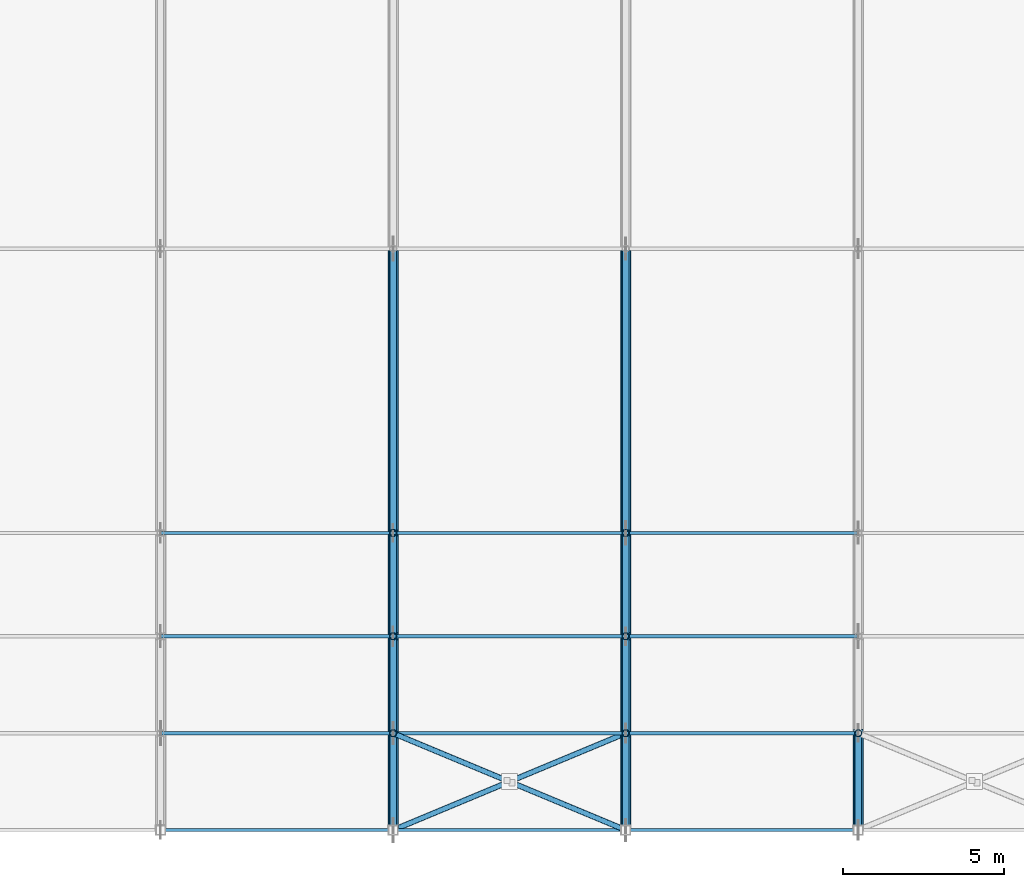
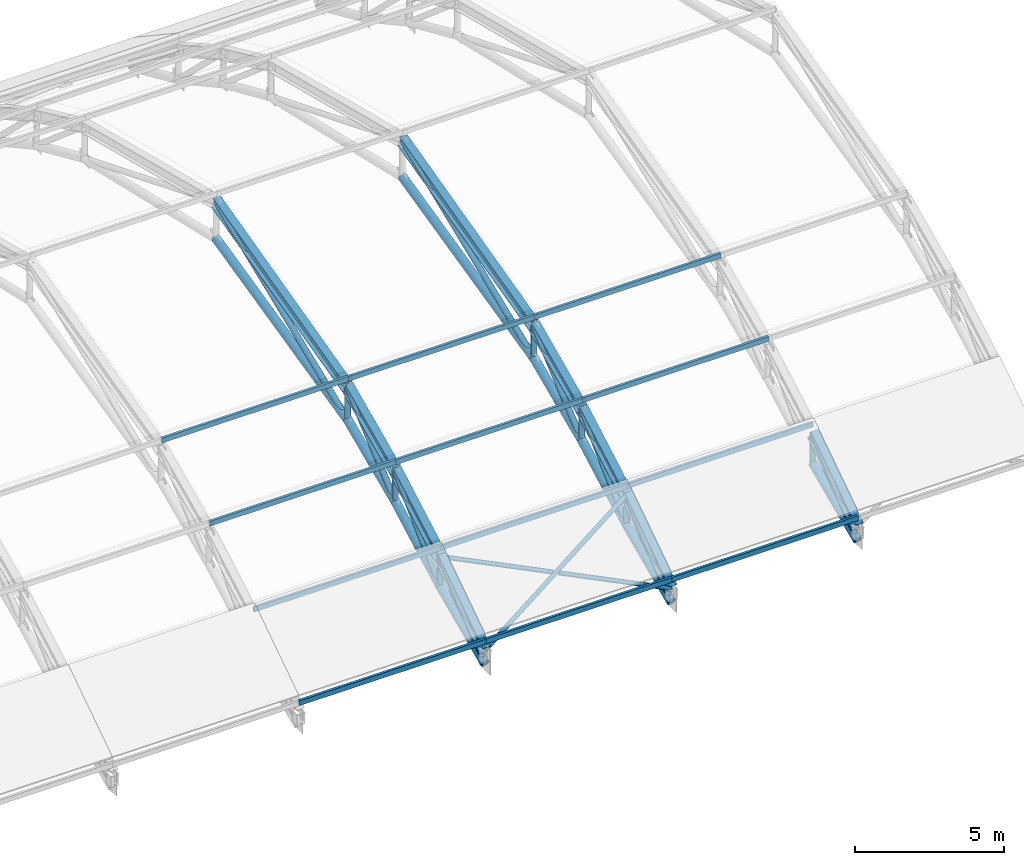
# One storey, part 18 of 63: 40 members, 9 beams.
"""IFC4 building model written with IfcOpenShell, lengths in metres."""

from ifc_helpers import new_model, si_unit, direction, frame, origin, origin_2d, place, context, subcontext, project, spatial, hollow_rectangle, hollow_circle, i_section, extrude, material, material_profile, profile_set, type_object, element, save


model = new_model("IFC4")

# Units and contexts
model_context = context("Model", 3, precision=1e-05, world=origin(), true_north=direction((0.0, 1.0)))
body_context = subcontext(model_context, "Body", "Model", "MODEL_VIEW")
ifc_project = project(units=[si_unit("LENGTHUNIT", "METRE"), si_unit("AREAUNIT", "SQUARE_METRE"), si_unit("VOLUMEUNIT", "CUBIC_METRE"), si_unit("PLANEANGLEUNIT", "RADIAN"), si_unit("MASSUNIT", "GRAM", prefix="KILO")], contexts=[model_context])

# Site, building, storey
site_placement = place(None, origin())
site = spatial("IfcSite", under=ifc_project, at=site_placement, CompositionType="ELEMENT")
building_placement = place(site_placement, origin())
building = spatial("IfcBuilding", under=site, at=building_placement, Name="Solvadek Multi-Sports Hall", CompositionType="ELEMENT")
storey_placement = place(building_placement, frame((0.0, 0.0, 19.199951171875)))
storey = spatial("IfcBuildingStorey", under=building, at=storey_placement, Name="RF", CompositionType="ELEMENT", Elevation=19.199951171875)

# Members
ifc_material_1 = material(Name="Steel E350 (350 MPa)", Category="steel")
ifc_material_profile_1 = material_profile(ifc_material_1, hollow_circle(Radius=0.084228515625, WallThickness=0.008056640625, at=origin_2d()), Name="CHS 168.3x8")
ifc_profile_set_1 = profile_set([ifc_material_profile_1], Name="Steel E350 (350 MPa)")
member_type_1 = type_object("IfcMemberType", Name="STR-BRC-CHS168", PredefinedType="BRACE", material=ifc_profile_set_1)
member_1_placement = place(storey_placement, frame((115.199951171875, 6.0, -3.550048828125), z_axis=(0.894028733366, 0.372514498511, 0.248888674542), x_axis=(-0.384617607118, 0.923075997031, 0.0)))
element("IfcMember", 1, at=member_1_placement, inside=storey, type_object=member_type_1, Name="V1 Roof Plan Brace #5", PredefinedType="BRACE", context=body_context, shape_type="SweptSolid", body=[
    extrude(hollow_circle(Radius=0.084228515625, WallThickness=0.008056640625, at=origin_2d()), origin(), (0.0, 0.0, 1.0), 8.053466796875),
])
member_2_placement = place(storey_placement, frame((115.199951171875, 9.0, -1.545654296875), z_axis=(0.894028850757, -0.372527532788, -0.248868743173), x_axis=(0.384629030944, 0.923071236988, 0.0)))
element("IfcMember", 2, at=member_2_placement, inside=storey, type_object=member_type_1, Name="V1 Roof Plan Half-Brace #6A", PredefinedType="BRACE", context=body_context, shape_type="SweptSolid", body=[
    extrude(hollow_circle(Radius=0.084228515625, WallThickness=0.008056640625, at=origin_2d()), origin(), (0.0, 0.0, 1.0), 3.934814453125),
])
member_3_placement = place(storey_placement, frame((118.88232421875, 7.4658203125, -2.57080078125), z_axis=(0.894016396206, -0.372548198419, -0.248882548944), x_axis=(0.384651776791, 0.923061758828, 0.0)))
element("IfcMember", 3, at=member_3_placement, inside=storey, type_object=member_type_1, Name="V1 Roof Plan Half-Brace #6B", PredefinedType="BRACE", context=body_context, shape_type="SweptSolid", body=[
    extrude(hollow_circle(Radius=0.084228515625, WallThickness=0.008056640625, at=origin_2d()), origin(), (0.0, 0.0, 1.0), 3.9345703125),
])
ifc_material_profile_2 = material_profile(ifc_material_1, hollow_circle(Radius=0.109619140625, WallThickness=0.010009765625, at=origin_2d()), Name="CHS 219.1x10")
ifc_profile_set_2 = profile_set([ifc_material_profile_2], Name="Steel E350 (350 MPa)")
member_type_2 = type_object("IfcMemberType", Name="STR-BRC-CHS219", PredefinedType="BRACE", material=ifc_profile_set_2)
member_4_placement = place(storey_placement, frame((115.199951171875, 6.0, -4.099853515625), z_axis=(0.0, 0.761413137307, 0.648266946818), x_axis=(-1.0, 0.0, 0.0)))
element("IfcMember", 4, at=member_4_placement, inside=storey, type_object=member_type_2, Name="v1 Truss 5 Web Diagonal 1", PredefinedType="BRACE", context=body_context, shape_type="SweptSolid", body=[
    extrude(hollow_circle(Radius=0.109619140625, WallThickness=0.010009765625, at=origin_2d()), origin(), (0.0, 0.0, 1.0), 3.93994140625),
])
member_5_placement = place(storey_placement, frame((115.199951171875, 9.0, -2.754150390625), z_axis=(0.0, 0.0, 1.0), x_axis=(1.0, 0.0, 0.0)))
element("IfcMember", 5, at=member_5_placement, inside=storey, type_object=member_type_2, Name="v1 Truss 5 Web Vertical 1", PredefinedType="BRACE", context=body_context, shape_type="SweptSolid", body=[
    extrude(hollow_circle(Radius=0.109619140625, WallThickness=0.010009765625, at=origin_2d()), origin(), (0.0, 0.0, 1.0), 1.20849609375),
])
member_6_placement = place(storey_placement, frame((115.199951171875, 9.0, -2.754150390625), z_axis=(0.0, 0.718473942669, 0.695553875487), x_axis=(-1.0, 0.0, 0.0)))
element("IfcMember", 6, at=member_6_placement, inside=storey, type_object=member_type_2, Name="v1 Truss 5 Web Diagonal 2", PredefinedType="BRACE", context=body_context, shape_type="SweptSolid", body=[
    extrude(hollow_circle(Radius=0.109619140625, WallThickness=0.010009765625, at=origin_2d()), origin(), (0.0, 0.0, 1.0), 4.175537109375),
])
member_7_placement = place(storey_placement, frame((115.199951171875, 12.0, -1.11669921875), z_axis=(0.0, 0.0, 1.0), x_axis=(1.0, 0.0, 0.0)))
element("IfcMember", 7, at=member_7_placement, inside=storey, type_object=member_type_2, Name="v1 Truss 5 Web Vertical 2", PredefinedType="BRACE", context=body_context, shape_type="SweptSolid", body=[
    extrude(hollow_circle(Radius=0.109619140625, WallThickness=0.010009765625, at=origin_2d()), origin(), (0.0, 0.0, 1.0), 1.266845703125),
])
member_8_placement = place(storey_placement, frame((115.199951171875, 12.0, -1.11669921875), z_axis=(0.0, 0.760074683686, 0.649835729411), x_axis=(-1.0, 0.0, 0.0)))
element("IfcMember", 8, at=member_8_placement, inside=storey, type_object=member_type_2, Name="v1 Truss 5 Web Diagonal 3", PredefinedType="BRACE", context=body_context, shape_type="SweptSolid", body=[
    extrude(hollow_circle(Radius=0.109619140625, WallThickness=0.010009765625, at=origin_2d()), origin(), (0.0, 0.0, 1.0), 4.2099609375),
])
member_9_placement = place(storey_placement, frame((115.199951171875, 15.199951171875, 0.2900390625), z_axis=(0.0, 0.0, 1.0), x_axis=(1.0, 0.0, 0.0)))
element("IfcMember", 9, at=member_9_placement, inside=storey, type_object=member_type_2, Name="v1 Truss 5 Web Vertical 3", PredefinedType="BRACE", context=body_context, shape_type="SweptSolid", body=[
    extrude(hollow_circle(Radius=0.109619140625, WallThickness=0.010009765625, at=origin_2d()), origin(), (0.0, 0.0, 1.0), 1.3291015625),
])
member_10_placement = place(storey_placement, frame((115.199951171875, 15.199951171875, 0.2900390625), z_axis=(0.0, 0.927015158586, 0.375023860244), x_axis=(-1.0, 0.0, 0.0)))
element("IfcMember", 10, at=member_10_placement, inside=storey, type_object=member_type_2, Name="v1 Truss 5 Web Diagonal 4", PredefinedType="BRACE", context=body_context, shape_type="SweptSolid", body=[
    extrude(hollow_circle(Radius=0.109619140625, WallThickness=0.010009765625, at=origin_2d()), origin(), (0.0, 0.0, 1.0), 9.492919921875),
])
member_11_placement = place(storey_placement, frame((122.39990234375, 6.0, -4.099853515625), z_axis=(0.0, 0.761413137307, 0.648266946818), x_axis=(-1.0, 0.0, 0.0)))
element("IfcMember", 11, at=member_11_placement, inside=storey, type_object=member_type_2, Name="v1 Truss 6 Web Diagonal 1", PredefinedType="BRACE", context=body_context, shape_type="SweptSolid", body=[
    extrude(hollow_circle(Radius=0.109619140625, WallThickness=0.010009765625, at=origin_2d()), origin(), (0.0, 0.0, 1.0), 3.93994140625),
])
member_12_placement = place(storey_placement, frame((122.39990234375, 9.0, -2.754150390625), z_axis=(0.0, 0.0, 1.0), x_axis=(1.0, 0.0, 0.0)))
element("IfcMember", 12, at=member_12_placement, inside=storey, type_object=member_type_2, Name="v1 Truss 6 Web Vertical 1", PredefinedType="BRACE", context=body_context, shape_type="SweptSolid", body=[
    extrude(hollow_circle(Radius=0.109619140625, WallThickness=0.010009765625, at=origin_2d()), origin(), (0.0, 0.0, 1.0), 1.20849609375),
])
member_13_placement = place(storey_placement, frame((122.39990234375, 9.0, -2.754150390625), z_axis=(0.0, 0.718473942669, 0.695553875487), x_axis=(-1.0, 0.0, 0.0)))
element("IfcMember", 13, at=member_13_placement, inside=storey, type_object=member_type_2, Name="v1 Truss 6 Web Diagonal 2", PredefinedType="BRACE", context=body_context, shape_type="SweptSolid", body=[
    extrude(hollow_circle(Radius=0.109619140625, WallThickness=0.010009765625, at=origin_2d()), origin(), (0.0, 0.0, 1.0), 4.175537109375),
])
member_14_placement = place(storey_placement, frame((122.39990234375, 12.0, -1.11669921875), z_axis=(0.0, 0.0, 1.0), x_axis=(1.0, 0.0, 0.0)))
element("IfcMember", 14, at=member_14_placement, inside=storey, type_object=member_type_2, Name="v1 Truss 6 Web Vertical 2", PredefinedType="BRACE", context=body_context, shape_type="SweptSolid", body=[
    extrude(hollow_circle(Radius=0.109619140625, WallThickness=0.010009765625, at=origin_2d()), origin(), (0.0, 0.0, 1.0), 1.266845703125),
])
member_15_placement = place(storey_placement, frame((122.39990234375, 12.0, -1.11669921875), z_axis=(0.0, 0.760074683686, 0.649835729411), x_axis=(-1.0, 0.0, 0.0)))
element("IfcMember", 15, at=member_15_placement, inside=storey, type_object=member_type_2, Name="v1 Truss 6 Web Diagonal 3", PredefinedType="BRACE", context=body_context, shape_type="SweptSolid", body=[
    extrude(hollow_circle(Radius=0.109619140625, WallThickness=0.010009765625, at=origin_2d()), origin(), (0.0, 0.0, 1.0), 4.2099609375),
])
member_16_placement = place(storey_placement, frame((122.39990234375, 15.199951171875, 0.2900390625), z_axis=(0.0, 0.0, 1.0), x_axis=(1.0, 0.0, 0.0)))
element("IfcMember", 16, at=member_16_placement, inside=storey, type_object=member_type_2, Name="v1 Truss 6 Web Vertical 3", PredefinedType="BRACE", context=body_context, shape_type="SweptSolid", body=[
    extrude(hollow_circle(Radius=0.109619140625, WallThickness=0.010009765625, at=origin_2d()), origin(), (0.0, 0.0, 1.0), 1.3291015625),
])
member_17_placement = place(storey_placement, frame((122.39990234375, 15.199951171875, 0.2900390625), z_axis=(0.0, 0.927015158586, 0.375023860244), x_axis=(-1.0, 0.0, 0.0)))
element("IfcMember", 17, at=member_17_placement, inside=storey, type_object=member_type_2, Name="v1 Truss 6 Web Diagonal 4", PredefinedType="BRACE", context=body_context, shape_type="SweptSolid", body=[
    extrude(hollow_circle(Radius=0.109619140625, WallThickness=0.010009765625, at=origin_2d()), origin(), (0.0, 0.0, 1.0), 9.492919921875),
])
member_18_placement = place(storey_placement, frame((129.60009765625, 6.0, -4.099853515625), z_axis=(0.0, 0.761413137307, 0.648266946818), x_axis=(-1.0, 0.0, 0.0)))
element("IfcMember", 18, at=member_18_placement, inside=storey, type_object=member_type_2, Name="v1 Truss 7 Web Diagonal 1", PredefinedType="BRACE", context=body_context, shape_type="SweptSolid", body=[
    extrude(hollow_circle(Radius=0.109619140625, WallThickness=0.010009765625, at=origin_2d()), origin(), (0.0, 0.0, 1.0), 3.93994140625),
])
member_19_placement = place(storey_placement, frame((129.60009765625, 9.0, -2.754150390625), z_axis=(0.0, 0.0, 1.0), x_axis=(1.0, 0.0, 0.0)))
element("IfcMember", 19, at=member_19_placement, inside=storey, type_object=member_type_2, Name="v1 Truss 7 Web Vertical 1", PredefinedType="BRACE", context=body_context, shape_type="SweptSolid", body=[
    extrude(hollow_circle(Radius=0.109619140625, WallThickness=0.010009765625, at=origin_2d()), origin(), (0.0, 0.0, 1.0), 1.20849609375),
])
ifc_material_profile_3 = material_profile(ifc_material_1, hollow_circle(Radius=0.161865234375, WallThickness=0.012451171875, at=origin_2d()), Name="CHS 323.9x12.5")
ifc_profile_set_3 = profile_set([ifc_material_profile_3], Name="Steel E350 (350 MPa)")
member_type_3 = type_object("IfcMemberType", Name="STR-CHD-CHS323", PredefinedType="CHORD", material=ifc_profile_set_3)
member_20_placement = place(storey_placement, frame((115.199951171875, 6.0, -4.099853515625), z_axis=(0.0, 0.912409902676, 0.409277619104), x_axis=(-1.0, 0.0, 0.0)))
element("IfcMember", 20, at=member_20_placement, inside=storey, type_object=member_type_3, Name="v1 Arched Truss 5 Bottom Chord 1", PredefinedType="CHORD", context=body_context, shape_type="SweptSolid", body=[
    extrude(hollow_circle(Radius=0.161865234375, WallThickness=0.012451171875, at=origin_2d()), origin(), (0.0, 0.0, 1.0), 3.2880859375),
])
member_21_placement = place(storey_placement, frame((115.199951171875, 9.0, -2.754150390625), z_axis=(0.0, 0.877761773463, 0.479097348195), x_axis=(-1.0, 0.0, 0.0)))
element("IfcMember", 21, at=member_21_placement, inside=storey, type_object=member_type_3, Name="v1 Arched Truss 5 Bottom Chord 2", PredefinedType="CHORD", context=body_context, shape_type="SweptSolid", body=[
    extrude(hollow_circle(Radius=0.161865234375, WallThickness=0.012451171875, at=origin_2d()), origin(), (0.0, 0.0, 1.0), 3.417724609375),
])
member_22_placement = place(storey_placement, frame((115.199951171875, 12.0, -1.11669921875), z_axis=(0.0, 0.915445777878, 0.402441334564), x_axis=(-1.0, 0.0, 0.0)))
element("IfcMember", 22, at=member_22_placement, inside=storey, type_object=member_type_3, Name="v1 Arched Truss 5 Bottom Chord 3", PredefinedType="CHORD", context=body_context, shape_type="SweptSolid", body=[
    extrude(hollow_circle(Radius=0.161865234375, WallThickness=0.012451171875, at=origin_2d()), origin(), (0.0, 0.0, 1.0), 3.49560546875),
])
member_23_placement = place(storey_placement, frame((115.199951171875, 15.199951171875, 0.2900390625), z_axis=(0.0, 0.973676572462, 0.227934052391), x_axis=(-1.0, 0.0, 0.0)))
element("IfcMember", 23, at=member_23_placement, inside=storey, type_object=member_type_3, Name="v1 Arched Truss 5 Bottom Chord 4", PredefinedType="CHORD", context=body_context, shape_type="SweptSolid", body=[
    extrude(hollow_circle(Radius=0.161865234375, WallThickness=0.012451171875, at=origin_2d()), origin(), (0.0, 0.0, 1.0), 9.037841796875),
])
member_24_placement = place(storey_placement, frame((122.39990234375, 6.0, -4.099853515625), z_axis=(0.0, 0.912409902676, 0.409277619104), x_axis=(-1.0, 0.0, 0.0)))
element("IfcMember", 24, at=member_24_placement, inside=storey, type_object=member_type_3, Name="v1 Arched Truss 6 Bottom Chord 1", PredefinedType="CHORD", context=body_context, shape_type="SweptSolid", body=[
    extrude(hollow_circle(Radius=0.161865234375, WallThickness=0.012451171875, at=origin_2d()), origin(), (0.0, 0.0, 1.0), 3.2880859375),
])
member_25_placement = place(storey_placement, frame((122.39990234375, 9.0, -2.754150390625), z_axis=(0.0, 0.877761773463, 0.479097348195), x_axis=(-1.0, 0.0, 0.0)))
element("IfcMember", 25, at=member_25_placement, inside=storey, type_object=member_type_3, Name="v1 Arched Truss 6 Bottom Chord 2", PredefinedType="CHORD", context=body_context, shape_type="SweptSolid", body=[
    extrude(hollow_circle(Radius=0.161865234375, WallThickness=0.012451171875, at=origin_2d()), origin(), (0.0, 0.0, 1.0), 3.417724609375),
])
member_26_placement = place(storey_placement, frame((122.39990234375, 12.0, -1.11669921875), z_axis=(0.0, 0.915445777878, 0.402441334564), x_axis=(-1.0, 0.0, 0.0)))
element("IfcMember", 26, at=member_26_placement, inside=storey, type_object=member_type_3, Name="v1 Arched Truss 6 Bottom Chord 3", PredefinedType="CHORD", context=body_context, shape_type="SweptSolid", body=[
    extrude(hollow_circle(Radius=0.161865234375, WallThickness=0.012451171875, at=origin_2d()), origin(), (0.0, 0.0, 1.0), 3.49560546875),
])
member_27_placement = place(storey_placement, frame((122.39990234375, 15.199951171875, 0.2900390625), z_axis=(0.0, 0.973676572462, 0.227934052391), x_axis=(-1.0, 0.0, 0.0)))
element("IfcMember", 27, at=member_27_placement, inside=storey, type_object=member_type_3, Name="v1 Arched Truss 6 Bottom Chord 4", PredefinedType="CHORD", context=body_context, shape_type="SweptSolid", body=[
    extrude(hollow_circle(Radius=0.161865234375, WallThickness=0.012451171875, at=origin_2d()), origin(), (0.0, 0.0, 1.0), 9.037841796875),
])
member_28_placement = place(storey_placement, frame((129.60009765625, 6.0, -4.099853515625), z_axis=(0.0, 0.912409902676, 0.409277619104), x_axis=(-1.0, 0.0, 0.0)))
element("IfcMember", 28, at=member_28_placement, inside=storey, type_object=member_type_3, Name="v1 Arched Truss 7 Bottom Chord 1", PredefinedType="CHORD", context=body_context, shape_type="SweptSolid", body=[
    extrude(hollow_circle(Radius=0.161865234375, WallThickness=0.012451171875, at=origin_2d()), origin(), (0.0, 0.0, 1.0), 3.2880859375),
])
ifc_material_2 = material(Name="Steel E250 (250 MPa)", Category="steel")
ifc_material_profile_4 = material_profile(ifc_material_2, hollow_rectangle(XDim=0.10009765625, YDim=0.199951171875, WallThickness=0.008056640625, at=origin_2d()), Name="RHS 200x100x8")
ifc_profile_set_4 = profile_set([ifc_material_profile_4], Name="Steel E250 (250 MPa)")
member_type_4 = type_object("IfcMemberType", Name="STR-PUR-RHS200", PredefinedType="PURLIN", material=ifc_profile_set_4)
for number, where, z_axis, x_axis, name in (
    (29, (108.0, 6.0, -3.17529296875), (1.0, 0.0, 0.0), (0.0, 1.0, 0.0), "V1 Roof Purlin #28"),
    (30, (108.0, 9.0, -1.171142578125), (1.0, 0.0, 0.0), (0.0, 1.0, 0.0), "V1 Roof Purlin #29"),
    (31, (108.0, 12.0, 0.512451171875), (1.0, 0.0, 0.0), (0.0, 1.0, 0.0), "V1 Roof Purlin #30"),
    (32, (108.0, 15.199951171875, 1.970703125), (1.0, 0.0, 0.0), (0.0, 1.0, 0.0), "V1 Roof Purlin #31"),
    (33, (115.199951171875, 6.0, -3.17529296875), (1.0, 0.0, 0.0), (0.0, 1.0, 0.0), "V1 Roof Purlin #37"),
    (34, (115.199951171875, 9.0, -1.171142578125), (1.0, 0.0, 0.0), (0.0, 1.0, 0.0), "V1 Roof Purlin #38"),
    (35, (115.199951171875, 12.0, 0.512451171875), (1.0, 0.0, 0.0), (0.0, 1.0, 0.0), "V1 Roof Purlin #39"),
    (36, (115.199951171875, 15.199951171875, 1.970703125), (1.0, 0.0, 0.0), (0.0, 1.0, 0.0), "V1 Roof Purlin #40"),
):
    element("IfcMember", number, at=place(storey_placement, frame(where, z_axis=z_axis, x_axis=x_axis)), inside=storey, type_object=member_type_4, Name=name, PredefinedType="PURLIN", context=body_context, shape_type="SweptSolid", body=[
        extrude(hollow_rectangle(XDim=0.10009765625, YDim=0.199951171875, WallThickness=0.008056640625, at=origin_2d()), origin(), (0.0, 0.0, 1.0), 7.199951171875),
    ])
for number, where, z_axis, x_axis, name in (
    (37, (122.39990234375, 6.0, -3.17529296875), (1.0, 0.0, 0.0), (0.0, 1.0, 0.0), "V1 Roof Purlin #46"),
    (38, (122.39990234375, 9.0, -1.171142578125), (1.0, 0.0, 0.0), (0.0, 1.0, 0.0), "V1 Roof Purlin #47"),
    (39, (122.39990234375, 12.0, 0.512451171875), (1.0, 0.0, 0.0), (0.0, 1.0, 0.0), "V1 Roof Purlin #48"),
    (40, (122.39990234375, 15.199951171875, 1.970703125), (1.0, 0.0, 0.0), (0.0, 1.0, 0.0), "V1 Roof Purlin #49"),
):
    element("IfcMember", number, at=place(storey_placement, frame(where, z_axis=z_axis, x_axis=x_axis)), inside=storey, type_object=member_type_4, Name=name, PredefinedType="PURLIN", context=body_context, shape_type="SweptSolid", body=[
        extrude(hollow_rectangle(XDim=0.10009765625, YDim=0.199951171875, WallThickness=0.008056640625, at=origin_2d()), origin(), (0.0, 0.0, 1.0), 7.2001953125),
    ])

# Beams
ifc_material_profile_5 = material_profile(ifc_material_1, i_section(OverallWidth=0.300048828125, OverallDepth=0.449951171875, WebThickness=0.013916015625, FlangeThickness=0.02587890625, at=origin_2d()), Name="WPB 450")
ifc_profile_set_5 = profile_set([ifc_material_profile_5], Name="Steel E350 (350 MPa)")
beam_type = type_object("IfcBeamType", Name="STR-TRS-WPB450", PredefinedType="USERDEFINED", material=ifc_profile_set_5)
beam_1_placement = place(storey_placement, frame((115.199951171875, 6.0, -3.550048828125), z_axis=(0.0, 0.831487713405, 0.55554314185), x_axis=(-1.0, 0.0, 0.0)))
element("IfcBeam", 41, at=beam_1_placement, inside=storey, type_object=beam_type, Name="v1 Arched Truss 5 Top Chord 1", ObjectType="ROOF TRUSS", PredefinedType="USERDEFINED", context=body_context, shape_type="SweptSolid", body=[
    extrude(i_section(OverallWidth=0.300048828125, OverallDepth=0.449951171875, WebThickness=0.013916015625, FlangeThickness=0.02587890625, at=origin_2d()), origin(), (0.0, 0.0, 1.0), 3.60791015625),
])
beam_2_placement = place(storey_placement, frame((115.199951171875, 9.0, -1.545654296875), z_axis=(0.0, 0.870544365607, 0.492089938436), x_axis=(-1.0, 0.0, 0.0)))
element("IfcBeam", 42, at=beam_2_placement, inside=storey, type_object=beam_type, Name="v1 Arched Truss 5 Top Chord 2", ObjectType="ROOF TRUSS", PredefinedType="USERDEFINED", context=body_context, shape_type="SweptSolid", body=[
    extrude(i_section(OverallWidth=0.300048828125, OverallDepth=0.449951171875, WebThickness=0.013916015625, FlangeThickness=0.02587890625, at=origin_2d()), origin(), (0.0, 0.0, 1.0), 3.446044921875),
])
beam_3_placement = place(storey_placement, frame((115.199951171875, 12.0, 0.150146484375), z_axis=(0.0, 0.908811875669, 0.417206153651), x_axis=(-1.0, 0.0, 0.0)))
element("IfcBeam", 43, at=beam_3_placement, inside=storey, type_object=beam_type, Name="v1 Arched Truss 5 Top Chord 3", ObjectType="ROOF TRUSS", PredefinedType="USERDEFINED", context=body_context, shape_type="SweptSolid", body=[
    extrude(i_section(OverallWidth=0.300048828125, OverallDepth=0.449951171875, WebThickness=0.013916015625, FlangeThickness=0.02587890625, at=origin_2d()), origin(), (0.0, 0.0, 1.0), 3.52099609375),
])
beam_4_placement = place(storey_placement, frame((115.199951171875, 15.199951171875, 1.619140625), z_axis=(0.0, 0.969335170668, 0.245742399488), x_axis=(-1.0, 0.0, 0.0)))
element("IfcBeam", 44, at=beam_4_placement, inside=storey, type_object=beam_type, Name="v1 Arched Truss 5 Top Chord 4", ObjectType="ROOF TRUSS", PredefinedType="USERDEFINED", context=body_context, shape_type="SweptSolid", body=[
    extrude(i_section(OverallWidth=0.300048828125, OverallDepth=0.449951171875, WebThickness=0.013916015625, FlangeThickness=0.02587890625, at=origin_2d()), origin(), (0.0, 0.0, 1.0), 9.078369140625),
])
beam_5_placement = place(storey_placement, frame((122.39990234375, 6.0, -3.550048828125), z_axis=(0.0, 0.831487713405, 0.55554314185), x_axis=(-1.0, 0.0, 0.0)))
element("IfcBeam", 45, at=beam_5_placement, inside=storey, type_object=beam_type, Name="v1 Arched Truss 6 Top Chord 1", ObjectType="ROOF TRUSS", PredefinedType="USERDEFINED", context=body_context, shape_type="SweptSolid", body=[
    extrude(i_section(OverallWidth=0.300048828125, OverallDepth=0.449951171875, WebThickness=0.013916015625, FlangeThickness=0.02587890625, at=origin_2d()), origin(), (0.0, 0.0, 1.0), 3.60791015625),
])
beam_6_placement = place(storey_placement, frame((122.39990234375, 9.0, -1.545654296875), z_axis=(0.0, 0.870544365607, 0.492089938436), x_axis=(-1.0, 0.0, 0.0)))
element("IfcBeam", 46, at=beam_6_placement, inside=storey, type_object=beam_type, Name="v1 Arched Truss 6 Top Chord 2", ObjectType="ROOF TRUSS", PredefinedType="USERDEFINED", context=body_context, shape_type="SweptSolid", body=[
    extrude(i_section(OverallWidth=0.300048828125, OverallDepth=0.449951171875, WebThickness=0.013916015625, FlangeThickness=0.02587890625, at=origin_2d()), origin(), (0.0, 0.0, 1.0), 3.446044921875),
])
beam_7_placement = place(storey_placement, frame((122.39990234375, 12.0, 0.150146484375), z_axis=(0.0, 0.908811875669, 0.417206153651), x_axis=(-1.0, 0.0, 0.0)))
element("IfcBeam", 47, at=beam_7_placement, inside=storey, type_object=beam_type, Name="v1 Arched Truss 6 Top Chord 3", ObjectType="ROOF TRUSS", PredefinedType="USERDEFINED", context=body_context, shape_type="SweptSolid", body=[
    extrude(i_section(OverallWidth=0.300048828125, OverallDepth=0.449951171875, WebThickness=0.013916015625, FlangeThickness=0.02587890625, at=origin_2d()), origin(), (0.0, 0.0, 1.0), 3.52099609375),
])
beam_8_placement = place(storey_placement, frame((122.39990234375, 15.199951171875, 1.619140625), z_axis=(0.0, 0.969335170668, 0.245742399488), x_axis=(-1.0, 0.0, 0.0)))
element("IfcBeam", 48, at=beam_8_placement, inside=storey, type_object=beam_type, Name="v1 Arched Truss 6 Top Chord 4", ObjectType="ROOF TRUSS", PredefinedType="USERDEFINED", context=body_context, shape_type="SweptSolid", body=[
    extrude(i_section(OverallWidth=0.300048828125, OverallDepth=0.449951171875, WebThickness=0.013916015625, FlangeThickness=0.02587890625, at=origin_2d()), origin(), (0.0, 0.0, 1.0), 9.078369140625),
])
beam_9_placement = place(storey_placement, frame((129.60009765625, 6.0, -3.550048828125), z_axis=(0.0, 0.831487713405, 0.55554314185), x_axis=(-1.0, 0.0, 0.0)))
element("IfcBeam", 49, at=beam_9_placement, inside=storey, type_object=beam_type, Name="v1 Arched Truss 7 Top Chord 1", ObjectType="ROOF TRUSS", PredefinedType="USERDEFINED", context=body_context, shape_type="SweptSolid", body=[
    extrude(i_section(OverallWidth=0.300048828125, OverallDepth=0.449951171875, WebThickness=0.013916015625, FlangeThickness=0.02587890625, at=origin_2d()), origin(), (0.0, 0.0, 1.0), 3.60791015625),
])

save(model, "model.ifc")
